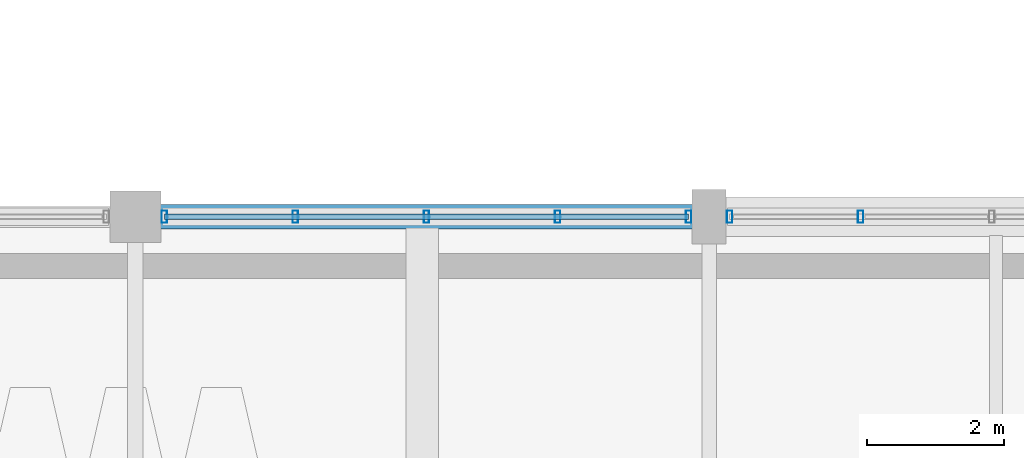
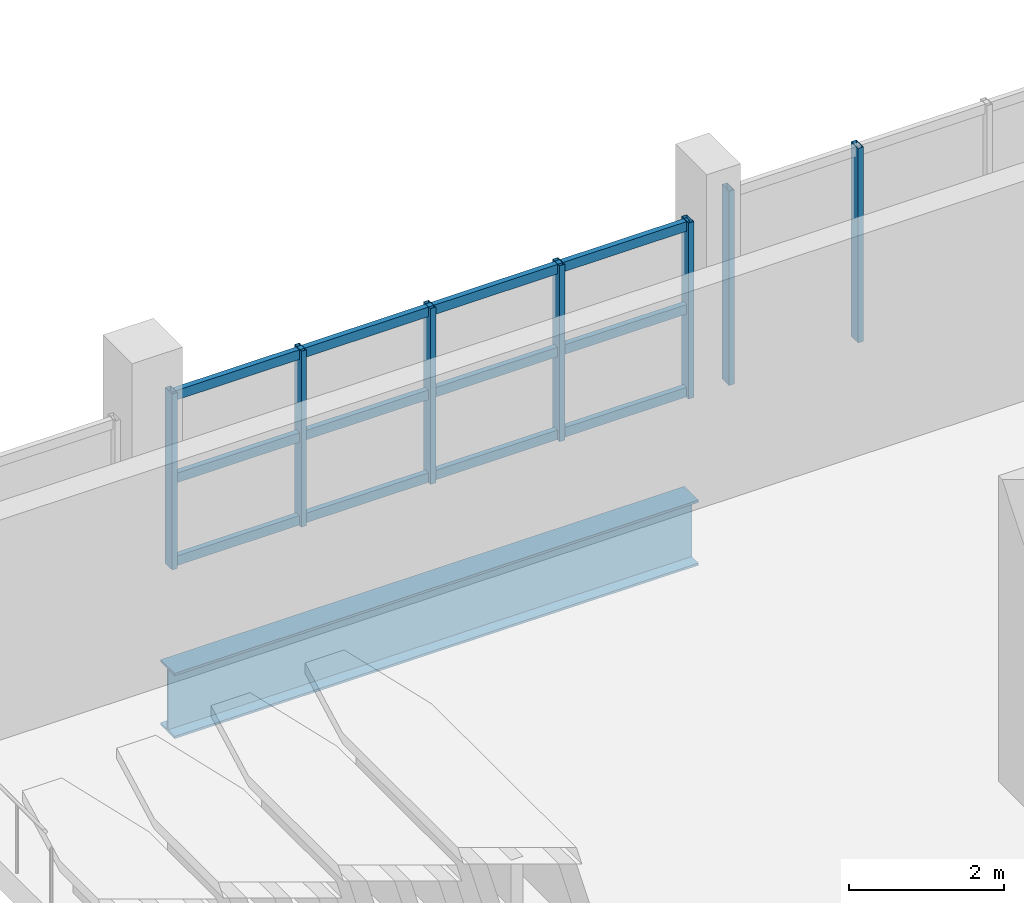
# One storey, part 46 of 77: 10 members, 1 beam, 2 elements without a shape of their own.
"""IFC4 building model written with IfcOpenShell, lengths in metres."""

from ifc_helpers import new_model, si_unit, direction, frame, origin, origin_2d, place, context, subcontext, project, spatial, hollow_rectangle, i_section, extrude, material, material_profile, profile_set, type_object, element, aggregate, save


model = new_model("IFC4")

# Units and contexts
model_context = context("Model", 3, precision=1e-05, world=origin(), true_north=direction((0.0, 1.0)))
body_context = subcontext(model_context, "Body", "Model", "MODEL_VIEW")
ifc_project = project(units=[si_unit("LENGTHUNIT", "METRE"), si_unit("AREAUNIT", "SQUARE_METRE"), si_unit("VOLUMEUNIT", "CUBIC_METRE"), si_unit("PLANEANGLEUNIT", "RADIAN"), si_unit("MASSUNIT", "GRAM", prefix="KILO")], contexts=[model_context])

# Site, building, storey
site_placement = place(None, origin())
site = spatial("IfcSite", under=ifc_project, at=site_placement, CompositionType="ELEMENT")
building_placement = place(site_placement, origin())
building = spatial("IfcBuilding", under=site, at=building_placement, Name="Solvento Point Concert Hall", CompositionType="ELEMENT")
storey_placement = place(building_placement, frame((0.0, 0.0, 10.199951171875)))
storey = spatial("IfcBuildingStorey", under=building, at=storey_placement, Name="L02", CompositionType="ELEMENT", Elevation=10.199951171875)

# Beam
ifc_material_1 = material(Name="Structural Steel ASTM A992 Grade 50", Category="steel")
ifc_material_profile_1 = material_profile(ifc_material_1, i_section(OverallWidth=0.361083984375, OverallDepth=1.02587890625, WebThickness=0.01904296875, FlangeThickness=0.0361328125, at=origin_2d()), Name="W40X249")
ifc_profile_set_1 = profile_set([ifc_material_profile_1], Name="Structural Steel ASTM A992 Grade 50")
beam_type = type_object("IfcBeamType", Name="Girder_W40X249", PredefinedType="USERDEFINED", material=ifc_profile_set_1)
beam_placement = place(storey_placement, frame((192.368896484375, 25.5, -0.95703125), z_axis=(1.0, 0.0, 0.0), x_axis=(0.0, 1.0, 0.0)))
element("IfcBeam", 1, at=beam_placement, inside=storey, type_object=beam_type, Name="Primary girder B-29 L02", ObjectType="GIRDER", PredefinedType="USERDEFINED", context=body_context, shape_type="SweptSolid", body=[
    extrude(i_section(OverallWidth=0.361083984375, OverallDepth=1.02587890625, WebThickness=0.01904296875, FlangeThickness=0.0361328125, at=origin_2d()), origin(), (0.0, 0.0, 1.0), 7.787109375),
])

# Curtain wall, members
ifc_material_2 = material(Name="Anodized Bronze Aluminium", Category="aluminium")
curtain_wall_type = type_object("IfcCurtainWallType", Name="CurtainWall_ChamberCircle", PredefinedType="USERDEFINED", material=ifc_material_2)
curtain_wall_1_placement = place(storey_placement, origin())
curtain_wall_1 = element("IfcCurtainWall", 2, at=curtain_wall_1_placement, inside=storey, type_object=curtain_wall_type, Name="Unitised curtain wall CW-32 UCW-L02-150", ObjectType="UNITISED CURTAIN WALL", PredefinedType="USERDEFINED")
ifc_material_3 = material(Name="Anodized Bronze Aluminium", Category="aluminium")
ifc_material_profile_2 = material_profile(ifc_material_3, hollow_rectangle(XDim=0.080078125, YDim=0.179931640625, WallThickness=0.00390625, at=origin_2d()), Name="CW-MUL-80X180")
ifc_profile_set_2 = profile_set([ifc_material_profile_2], Name="Anodized Bronze Aluminium")
member_type_1 = type_object("IfcMemberType", Name="Mullion_80x180", PredefinedType="MULLION", material=ifc_profile_set_2)
member_1_placement = place(storey_placement, frame((192.425048828125, 25.5, 1.1201171875), z_axis=(0.0, 0.0, 1.0), x_axis=(1.0, 0.0, 0.0)))
member_1 = element("IfcMember", 3, at=member_1_placement, type_object=member_type_1, Name="Curtain wall mullion ML-01", PredefinedType="MULLION", context=body_context, shape_type="SweptSolid", body=[
    extrude(hollow_rectangle(XDim=0.080078125, YDim=0.179931640625, WallThickness=0.00390625, at=origin_2d()), origin(), (0.0, 0.0, 1.0), 2.763916015625),
])
member_2_placement = place(storey_placement, frame((194.34375, 25.5, 1.1201171875), z_axis=(0.0, 0.0, 1.0), x_axis=(1.0, 0.0, 0.0)))
member_2 = element("IfcMember", 4, at=member_2_placement, type_object=member_type_1, Name="Curtain wall mullion ML-01", PredefinedType="MULLION", context=body_context, shape_type="SweptSolid", body=[
    extrude(hollow_rectangle(XDim=0.080078125, YDim=0.179931640625, WallThickness=0.00390625, at=origin_2d()), origin(), (0.0, 0.0, 1.0), 2.763916015625),
])
member_3_placement = place(storey_placement, frame((196.262451171875, 25.5, 1.1201171875), z_axis=(0.0, 0.0, 1.0), x_axis=(1.0, 0.0, 0.0)))
member_3 = element("IfcMember", 5, at=member_3_placement, type_object=member_type_1, Name="Curtain wall mullion ML-01", PredefinedType="MULLION", context=body_context, shape_type="SweptSolid", body=[
    extrude(hollow_rectangle(XDim=0.080078125, YDim=0.179931640625, WallThickness=0.00390625, at=origin_2d()), origin(), (0.0, 0.0, 1.0), 2.763916015625),
])
member_4_placement = place(storey_placement, frame((198.181396484375, 25.5, 1.1201171875), z_axis=(0.0, 0.0, 1.0), x_axis=(1.0, 0.0, 0.0)))
member_4 = element("IfcMember", 6, at=member_4_placement, type_object=member_type_1, Name="Curtain wall mullion ML-01", PredefinedType="MULLION", context=body_context, shape_type="SweptSolid", body=[
    extrude(hollow_rectangle(XDim=0.080078125, YDim=0.179931640625, WallThickness=0.00390625, at=origin_2d()), origin(), (0.0, 0.0, 1.0), 2.763916015625),
])
member_5_placement = place(storey_placement, frame((200.10009765625, 25.5, 1.1201171875), z_axis=(0.0, 0.0, 1.0), x_axis=(1.0, 0.0, 0.0)))
member_5 = element("IfcMember", 7, at=member_5_placement, type_object=member_type_1, Name="Curtain wall mullion ML-01", PredefinedType="MULLION", context=body_context, shape_type="SweptSolid", body=[
    extrude(hollow_rectangle(XDim=0.080078125, YDim=0.179931640625, WallThickness=0.00390625, at=origin_2d()), origin(), (0.0, 0.0, 1.0), 2.763916015625),
])

curtain_wall_2_placement = place(storey_placement, origin())
curtain_wall_2 = element("IfcCurtainWall", 8, at=curtain_wall_2_placement, inside=storey, type_object=curtain_wall_type, Name="Unitised curtain wall CW-32 UCW-L02-151", ObjectType="UNITISED CURTAIN WALL", PredefinedType="USERDEFINED")
member_6_placement = place(storey_placement, frame((200.699951171875, 25.5, 1.1201171875), z_axis=(0.0, 0.0, 1.0), x_axis=(1.0, 0.0, 0.0)))
member_6 = element("IfcMember", 9, at=member_6_placement, type_object=member_type_1, Name="Curtain wall mullion ML-01", PredefinedType="MULLION", context=body_context, shape_type="SweptSolid", body=[
    extrude(hollow_rectangle(XDim=0.080078125, YDim=0.179931640625, WallThickness=0.00390625, at=origin_2d()), origin(), (0.0, 0.0, 1.0), 3.055908203125),
])
member_7_placement = place(storey_placement, frame((202.61865234375, 25.5, 1.1201171875), z_axis=(0.0, 0.0, 1.0), x_axis=(1.0, 0.0, 0.0)))
member_7 = element("IfcMember", 10, at=member_7_placement, type_object=member_type_1, Name="Curtain wall mullion ML-01", PredefinedType="MULLION", context=body_context, shape_type="SweptSolid", body=[
    extrude(hollow_rectangle(XDim=0.080078125, YDim=0.179931640625, WallThickness=0.00390625, at=origin_2d()), origin(), (0.0, 0.0, 1.0), 3.055908203125),
])
aggregate(curtain_wall_2, [member_6, member_7])

# Member
ifc_material_4 = material(Name="Anodized Bronze Aluminium", Category="aluminium")
ifc_material_profile_3 = material_profile(ifc_material_4, hollow_rectangle(XDim=0.080078125, YDim=0.14990234375, WallThickness=0.00390625, at=origin_2d()), Name="CW-TRN-80X150")
ifc_profile_set_3 = profile_set([ifc_material_profile_3], Name="Anodized Bronze Aluminium")
member_type_2 = type_object("IfcMemberType", Name="Transom_80x150", PredefinedType="USERDEFINED", material=ifc_profile_set_3)
member_8_placement = place(storey_placement, frame((192.425048828125, 25.5, 1.199951171875), z_axis=(1.0, 0.0, 0.0), x_axis=(0.0, 1.0, 0.0)))
member_8 = element("IfcMember", 11, at=member_8_placement, type_object=member_type_2, Name="Curtain wall transom TR-01", ObjectType="TRANSOM", PredefinedType="USERDEFINED", context=body_context, shape_type="SweptSolid", body=[
    extrude(hollow_rectangle(XDim=0.080078125, YDim=0.14990234375, WallThickness=0.00390625, at=origin_2d()), origin(), (0.0, 0.0, 1.0), 7.675048828125),
])

member_9_placement = place(storey_placement, frame((192.425048828125, 25.5, 2.501953125), z_axis=(1.0, 0.0, 0.0), x_axis=(0.0, 1.0, 0.0)))
member_9 = element("IfcMember", 12, at=member_9_placement, type_object=member_type_2, Name="Curtain wall transom TR-01", ObjectType="TRANSOM", PredefinedType="USERDEFINED", context=body_context, shape_type="SweptSolid", body=[
    extrude(hollow_rectangle(XDim=0.080078125, YDim=0.14990234375, WallThickness=0.00390625, at=origin_2d()), origin(), (0.0, 0.0, 1.0), 7.675048828125),
])

member_10_placement = place(storey_placement, frame((192.425048828125, 25.5, 3.803955078125), z_axis=(1.0, 0.0, 0.0), x_axis=(0.0, 1.0, 0.0)))
member_10 = element("IfcMember", 13, at=member_10_placement, type_object=member_type_2, Name="Curtain wall transom TR-01", ObjectType="TRANSOM", PredefinedType="USERDEFINED", context=body_context, shape_type="SweptSolid", body=[
    extrude(hollow_rectangle(XDim=0.080078125, YDim=0.14990234375, WallThickness=0.00390625, at=origin_2d()), origin(), (0.0, 0.0, 1.0), 7.675048828125),
])

aggregate(curtain_wall_1, [member_1, member_2, member_3, member_4, member_5, member_8, member_9, member_10])

save(model, "model.ifc")
